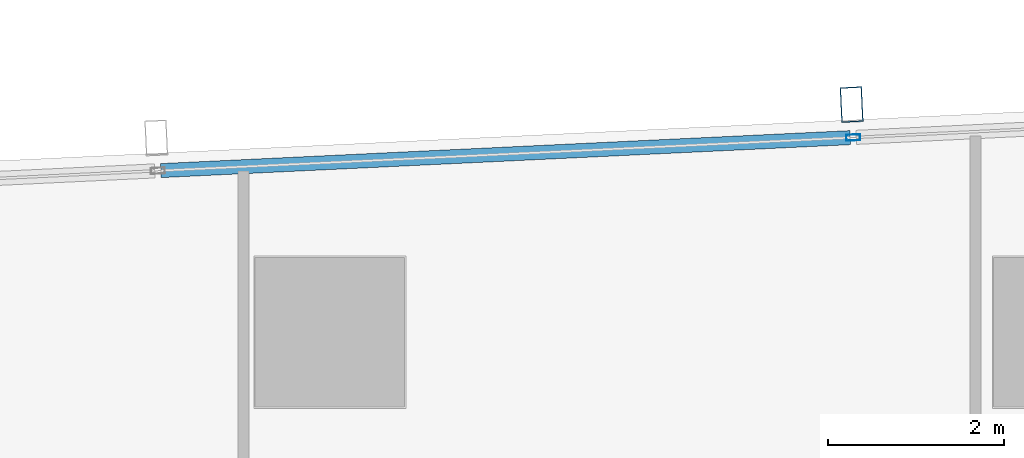
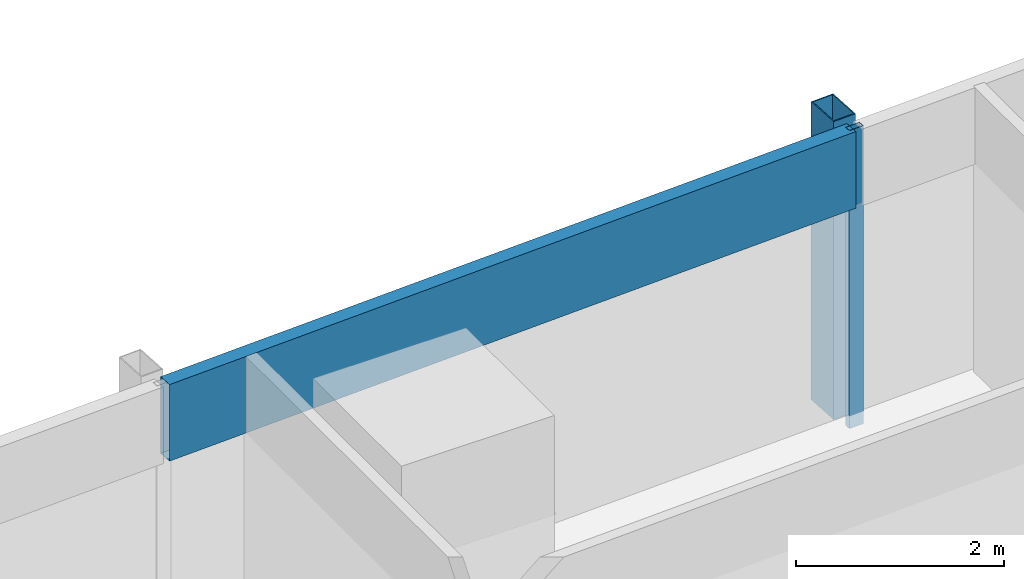
# One storey, part 18 of 39: 3 members, 1 element without a shape of its own.
"""IFC4 building model written with IfcOpenShell, lengths in metres."""

from ifc_helpers import new_model, si_unit, direction, frame, origin, origin_2d, place, context, subcontext, project, spatial, hollow_rectangle, extrude, material, material_profile, profile_set, type_object, element, aggregate, save


model = new_model("IFC4")

# Units and contexts
model_context = context("Model", 3, precision=1e-05, world=origin(), true_north=direction((0.0, 1.0)))
body_context = subcontext(model_context, "Body", "Model", "MODEL_VIEW")
ifc_project = project(units=[si_unit("LENGTHUNIT", "METRE"), si_unit("AREAUNIT", "SQUARE_METRE"), si_unit("VOLUMEUNIT", "CUBIC_METRE"), si_unit("PLANEANGLEUNIT", "RADIAN"), si_unit("MASSUNIT", "GRAM", prefix="KILO")], contexts=[model_context])

# Site, building, storey
site_placement = place(None, origin())
site = spatial("IfcSite", under=ifc_project, at=site_placement, CompositionType="ELEMENT")
building_placement = place(site_placement, origin())
building = spatial("IfcBuilding", under=site, at=building_placement, Name="Rekha Terrace Tower", CompositionType="ELEMENT")
storey_placement = place(building_placement, frame((0.0, 0.0, 180.199951171875)))
storey = spatial("IfcBuildingStorey", under=building, at=storey_placement, Name="L45", CompositionType="ELEMENT", Elevation=180.199951171875)

# Curtain wall, members
ifc_material_1 = material(Name="Aluminium framing", Category="aluminium")
curtain_wall_type = type_object("IfcCurtainWallType", Name="CW3 north unitised glazing", PredefinedType="USERDEFINED", material=ifc_material_1)
curtain_wall_placement = place(storey_placement, origin())
curtain_wall = element("IfcCurtainWall", 1, at=curtain_wall_placement, inside=storey, type_object=curtain_wall_type, Name="CW3 unitised curtain wall", ObjectType="UNITISED CURTAIN WALL", PredefinedType="USERDEFINED")
ifc_material_2 = material(Name="Steel S355 with fluorocarbon finish", Category="steel")
ifc_material_profile_1 = material_profile(ifc_material_2, hollow_rectangle(XDim=0.25, YDim=0.39990234375, WallThickness=0.012451171875, at=origin_2d()), Name="RHS400x250x12.5")
ifc_profile_set_1 = profile_set([ifc_material_profile_1], Name="Steel S355 with fluorocarbon finish")
member_type_1 = type_object("IfcMemberType", Name="BL1 facade blade RHS 400 x 250", PredefinedType="USERDEFINED", material=ifc_profile_set_1)
member_1_placement = place(storey_placement, frame((22.734130859375, 61.389404296875, 0.0), z_axis=(0.0, 0.0, 1.0), x_axis=(-0.998858913274, -0.04775846913, 0.0)))
member_1 = element("IfcMember", 2, at=member_1_placement, type_object=member_type_1, Name="Facade blade", ObjectType="FACADE BLADE", PredefinedType="USERDEFINED", context=body_context, shape_type="SweptSolid", body=[
    extrude(hollow_rectangle(XDim=0.25, YDim=0.39990234375, WallThickness=0.012451171875, at=origin_2d()), origin(), (0.0, 0.0, 1.0), 3.5),
])
ifc_material_3 = material(Name="Aluminium mullion section", Category="aluminium")
ifc_material_profile_2 = material_profile(ifc_material_3, hollow_rectangle(XDim=0.070068359375, YDim=0.159912109375, WallThickness=0.00390625, at=origin_2d()), Name="AL RHS 70x160")
ifc_profile_set_2 = profile_set([ifc_material_profile_2], Name="Aluminium mullion section")
member_type_2 = type_object("IfcMemberType", Name="CW3 mullion RHS 70 x 160", PredefinedType="MULLION", material=ifc_profile_set_2)
member_2_placement = place(storey_placement, frame((22.751953125, 61.014892578125, 0.0), z_axis=(0.0, 0.0, 1.0), x_axis=(0.047758616983, -0.998858906204, 0.0)))
member_2 = element("IfcMember", 3, at=member_2_placement, type_object=member_type_2, Name="CW3 mullion 4", PredefinedType="MULLION", context=body_context, shape_type="SweptSolid", body=[
    extrude(hollow_rectangle(XDim=0.070068359375, YDim=0.159912109375, WallThickness=0.00390625, at=origin_2d()), origin(), (0.0, 0.0, 1.0), 3.5),
])
ifc_material_4 = material(Name="Insulated aluminium spandrel box", Category="aluminium")
ifc_material_profile_3 = material_profile(ifc_material_4, hollow_rectangle(XDim=0.159912109375, YDim=0.89990234375, WallThickness=0.0029296875, at=origin_2d()), Name="AL SPANDREL BOX 160x900")
ifc_profile_set_3 = profile_set([ifc_material_profile_3], Name="Insulated aluminium spandrel box")
member_type_3 = type_object("IfcMemberType", Name="CW3 spandrel transom 160 x 900", PredefinedType="USERDEFINED", material=ifc_profile_set_3)
member_3_placement = place(storey_placement, frame((22.717041015625, 61.01318359375, 3.050048828125), z_axis=(-0.998859252362, -0.047751376635, 0.0), x_axis=(0.047751376635, -0.998859252362, 0.0)))
member_3 = element("IfcMember", 4, at=member_3_placement, type_object=member_type_3, Name="CW3 spandrel transom 4", ObjectType="TRANSOM", PredefinedType="USERDEFINED", context=body_context, shape_type="SweptSolid", body=[
    extrude(hollow_rectangle(XDim=0.159912109375, YDim=0.89990234375, WallThickness=0.0029296875, at=origin_2d()), origin(), (0.0, 0.0, 1.0), 7.84814453125),
])
aggregate(curtain_wall, [member_2, member_3, member_1])

save(model, "model.ifc")
